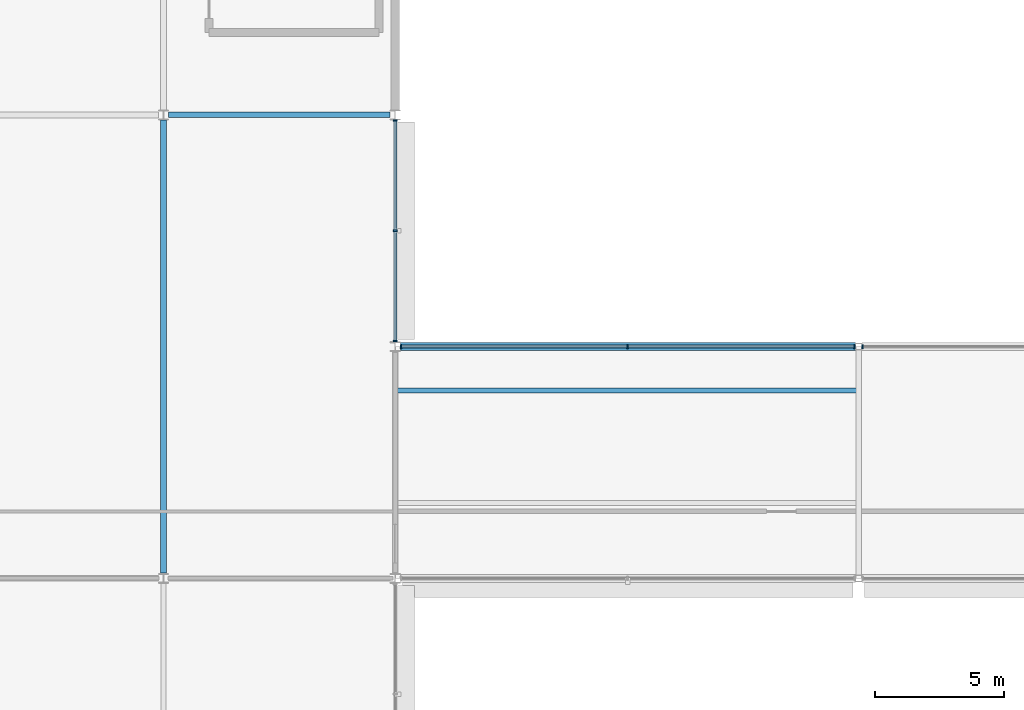
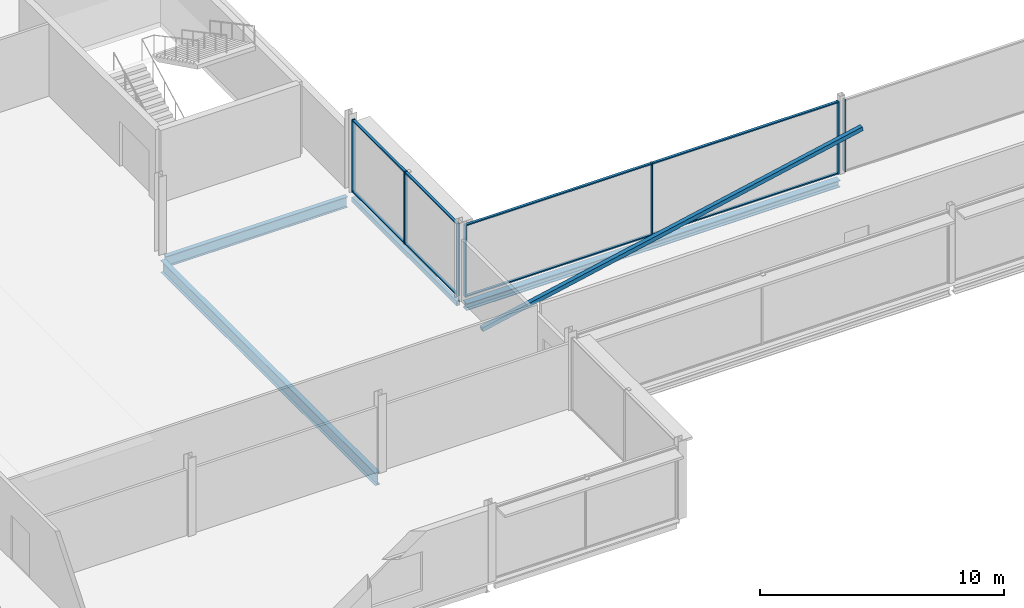
# One storey, part 19 of 98: 16 members, 4 beams, 3 elements without a shape of their own.
"""IFC4 building model written with IfcOpenShell, lengths in metres."""

from ifc_helpers import new_model, si_unit, direction, frame, origin, origin_2d, place, context, subcontext, project, spatial, rectangle, hollow_rectangle, i_section, extrude, material, layer, layer_set, material_profile, profile_set, type_object, element, aggregate, save


model = new_model("IFC4")

# Units and contexts
model_context = context("Model", 3, precision=1e-05, world=origin(), true_north=direction((0.0, 1.0)))
body_context = subcontext(model_context, "Body", "Model", "MODEL_VIEW")
ifc_project = project(units=[si_unit("LENGTHUNIT", "METRE"), si_unit("AREAUNIT", "SQUARE_METRE"), si_unit("VOLUMEUNIT", "CUBIC_METRE"), si_unit("PLANEANGLEUNIT", "RADIAN"), si_unit("MASSUNIT", "GRAM", prefix="KILO")], contexts=[model_context])

# Site, building, storey
site_placement = place(None, origin())
site = spatial("IfcSite", under=ifc_project, at=site_placement, CompositionType="ELEMENT")
building_placement = place(site_placement, origin())
building = spatial("IfcBuilding", under=site, at=building_placement, Name="Kisiwana Market Hall", CompositionType="ELEMENT")
storey_placement = place(building_placement, frame((0.0, 0.0, 29.39990234375)))
storey = spatial("IfcBuildingStorey", under=building, at=storey_placement, Name="L06", CompositionType="ELEMENT", Elevation=29.39990234375)

# Beams
ifc_material_1 = material(Name="Steel S355", Category="steel")
ifc_material_profile_1 = material_profile(ifc_material_1, i_section(OverallWidth=0.210693359375, OverallDepth=0.53955078125, WebThickness=0.01171875, FlangeThickness=0.018798828125, FilletRadius=0.0126953125, at=origin_2d()), Name="UB 533x210x109")
ifc_profile_set_1 = profile_set([ifc_material_profile_1], Name="Steel S355")
beam_type_1 = type_object("IfcBeamType", Name="BM-GIRD-UB109", PredefinedType="BEAM", material=ifc_profile_set_1)
beam_1_placement = place(storey_placement, frame((36.19921875, 36.0, -0.5146484375), z_axis=(1.0, 0.0, 0.0), x_axis=(0.0, 1.0, 0.0)))
element("IfcBeam", 1, at=beam_1_placement, inside=storey, type_object=beam_type_1, Name="Floor beam B-1806", PredefinedType="BEAM", context=body_context, shape_type="SweptSolid", body=[
    extrude(i_section(OverallWidth=0.210693359375, OverallDepth=0.53955078125, WebThickness=0.01171875, FlangeThickness=0.018798828125, FilletRadius=0.0126953125, at=origin_2d()), origin(), (0.0, 0.0, 1.0), 8.6015625),
])
ifc_material_2 = material(Name="Steel S355", Category="steel")
ifc_material_profile_2 = material_profile(ifc_material_2, i_section(OverallWidth=0.22900390625, OverallDepth=0.6123046875, WebThickness=0.011962890625, FlangeThickness=0.01953125, at=origin_2d()), Name="UB 610x229x125")
ifc_profile_set_2 = profile_set([ifc_material_profile_2], Name="Steel S355")
beam_type_2 = type_object("IfcBeamType", Name="BM-GIRD-UB610H", PredefinedType="BEAM", material=ifc_profile_set_2)
beam_2_placement = place(storey_placement, frame((36.0, 18.19921875, -0.551025390625), z_axis=(0.0, 1.0, 0.0), x_axis=(-1.0, 0.0, 0.0)))
element("IfcBeam", 2, at=beam_2_placement, inside=storey, type_object=beam_type_2, Name="Primary girder B-1712", PredefinedType="BEAM", context=body_context, shape_type="SweptSolid", body=[
    extrude(i_section(OverallWidth=0.22900390625, OverallDepth=0.6123046875, WebThickness=0.011962890625, FlangeThickness=0.01953125, at=origin_2d()), origin(), (0.0, 0.0, 1.0), 17.6015625),
])
ifc_material_3 = material(Name="Steel S355", Category="steel")
ifc_material_profile_3 = material_profile(ifc_material_3, i_section(OverallWidth=0.314453125, OverallDepth=0.33984375, WebThickness=0.01904296875, FlangeThickness=0.031494140625, at=origin_2d()), Name="UC 305x305x198")
ifc_profile_set_3 = profile_set([ifc_material_profile_3], Name="Steel S355")
beam_type_3 = type_object("IfcBeamType", Name="BM-SKYBR-CHORD", PredefinedType="BEAM", material=ifc_profile_set_3)
beam_3_placement = place(storey_placement, frame((45.19921875, 27.0, -0.434814453125), z_axis=(1.0, 0.0, 0.0), x_axis=(0.0, 1.0, 0.0)))
element("IfcBeam", 3, at=beam_3_placement, inside=storey, type_object=beam_type_3, Name="Floor beam B-1797", PredefinedType="BEAM", context=body_context, shape_type="SweptSolid", body=[
    extrude(i_section(OverallWidth=0.314453125, OverallDepth=0.33984375, WebThickness=0.01904296875, FlangeThickness=0.031494140625, at=origin_2d()), origin(), (0.0, 0.0, 1.0), 17.6796875),
])
ifc_material_4 = material(Name="Steel S355", Category="steel")
ifc_material_profile_4 = material_profile(ifc_material_4, hollow_rectangle(XDim=0.14990234375, YDim=0.25, WallThickness=0.010009765625, at=origin_2d()), Name="RHS 250x150x10.0")
ifc_profile_set_4 = profile_set([ifc_material_profile_4], Name="Steel S355")
beam_type_4 = type_object("IfcBeamType", Name="BM-SPAN-RHS250", PredefinedType="SPANDREL", material=ifc_profile_set_4)
beam_4_placement = place(storey_placement, frame((45.0, 27.19921875, -0.369873046875), z_axis=(0.0, 1.0, 0.0), x_axis=(-1.0, 0.0, 0.0)))
element("IfcBeam", 4, at=beam_4_placement, inside=storey, type_object=beam_type_4, Name="Floor beam B-1858", PredefinedType="SPANDREL", context=body_context, shape_type="SweptSolid", body=[
    extrude(hollow_rectangle(XDim=0.14990234375, YDim=0.25, WallThickness=0.010009765625, at=origin_2d()), origin(), (0.0, 0.0, 1.0), 8.6015625),
])

# Curtain wall, members
ifc_material_5 = material(Name="Double-glazed solar-control low-E IGU", Category="glass")
ifc_layer = layer(ifc_material_5, 0.159912109375)
ifc_layer_set = layer_set([ifc_layer], Name="CW-ZNA-EW-8200")
curtain_wall_type = type_object("IfcCurtainWallType", Name="CW-ZNA-EW-8200", PredefinedType="USERDEFINED", material=ifc_layer_set)
curtain_wall_1_placement = place(storey_placement, origin())
curtain_wall_1 = element("IfcCurtainWall", 5, at=curtain_wall_1_placement, inside=storey, type_object=curtain_wall_type, Name="Unitised curtain wall CW-178 (L06)", ObjectType="UNITISED CURTAIN WALL", PredefinedType="USERDEFINED")
ifc_material_6 = material(Name="Aluminium alloy 6063-T6", Category="aluminium")
ifc_material_profile_5 = material_profile(ifc_material_6, rectangle(XDim=0.06005859375, YDim=0.159912109375, at=origin_2d()), Name="ALU MULLION 60x160")
ifc_profile_set_5 = profile_set([ifc_material_profile_5], Name="Aluminium alloy 6063-T6")
member_type_1 = type_object("IfcMemberType", Name="CW-MULL-60x160", PredefinedType="MULLION", material=ifc_profile_set_5)
member_1_placement = place(storey_placement, frame((45.21533203125, 27.0, 0.0), z_axis=(0.0, 0.0, 1.0), x_axis=(1.0, 0.0, 0.0)))
member_1 = element("IfcMember", 6, at=member_1_placement, type_object=member_type_1, Name="CW-178 mullion 1", PredefinedType="MULLION", context=body_context, shape_type="SweptSolid", body=[
    extrude(rectangle(XDim=0.06005859375, YDim=0.159912109375, at=origin_2d()), origin(), (0.0, 0.0, 1.0), 3.6201171875),
])
member_2_placement = place(storey_placement, frame((54.030029296875, 27.0, 0.0), z_axis=(0.0, 0.0, 1.0), x_axis=(1.0, 0.0, 0.0)))
member_2 = element("IfcMember", 7, at=member_2_placement, type_object=member_type_1, Name="CW-178 mullion 2", PredefinedType="MULLION", context=body_context, shape_type="SweptSolid", body=[
    extrude(rectangle(XDim=0.06005859375, YDim=0.159912109375, at=origin_2d()), origin(), (0.0, 0.0, 1.0), 3.6201171875),
])
member_3_placement = place(storey_placement, frame((62.844970703125, 27.0, 0.0), z_axis=(0.0, 0.0, 1.0), x_axis=(1.0, 0.0, 0.0)))
member_3 = element("IfcMember", 8, at=member_3_placement, type_object=member_type_1, Name="CW-178 mullion 3", PredefinedType="MULLION", context=body_context, shape_type="SweptSolid", body=[
    extrude(rectangle(XDim=0.06005859375, YDim=0.159912109375, at=origin_2d()), origin(), (0.0, 0.0, 1.0), 3.6201171875),
])

# Curtain wall, member
curtain_wall_2_placement = place(storey_placement, origin())
curtain_wall_2 = element("IfcCurtainWall", 9, at=curtain_wall_2_placement, inside=storey, type_object=curtain_wall_type, Name="Unitised curtain wall CW-179 (L06)", ObjectType="UNITISED CURTAIN WALL", PredefinedType="USERDEFINED")
member_4_placement = place(storey_placement, frame((63.155029296875, 27.0, 0.0), z_axis=(0.0, 0.0, 1.0), x_axis=(1.0, 0.0, 0.0)))
member_4 = element("IfcMember", 10, at=member_4_placement, type_object=member_type_1, Name="CW-179 mullion 1", PredefinedType="MULLION", context=body_context, shape_type="SweptSolid", body=[
    extrude(rectangle(XDim=0.06005859375, YDim=0.159912109375, at=origin_2d()), origin(), (0.0, 0.0, 1.0), 3.6201171875),
])
aggregate(curtain_wall_2, [member_4])

# Curtain wall, members
curtain_wall_3_placement = place(storey_placement, origin())
curtain_wall_3 = element("IfcCurtainWall", 11, at=curtain_wall_3_placement, inside=storey, type_object=curtain_wall_type, Name="Unitised curtain wall CW-201 (L06)", ObjectType="UNITISED CURTAIN WALL", PredefinedType="USERDEFINED")
member_5_placement = place(storey_placement, frame((45.0, 27.2109375, 0.0), z_axis=(0.0, 0.0, 1.0), x_axis=(0.0, 1.0, 0.0)))
member_5 = element("IfcMember", 12, at=member_5_placement, type_object=member_type_1, Name="CW-201 mullion 1", PredefinedType="MULLION", context=body_context, shape_type="SweptSolid", body=[
    extrude(rectangle(XDim=0.06005859375, YDim=0.159912109375, at=origin_2d()), origin(), (0.0, 0.0, 1.0), 3.6201171875),
])
member_6_placement = place(storey_placement, frame((45.0, 31.5, 0.0), z_axis=(0.0, 0.0, 1.0), x_axis=(0.0, 1.0, 0.0)))
member_6 = element("IfcMember", 13, at=member_6_placement, type_object=member_type_1, Name="CW-201 mullion 2", PredefinedType="MULLION", context=body_context, shape_type="SweptSolid", body=[
    extrude(rectangle(XDim=0.06005859375, YDim=0.159912109375, at=origin_2d()), origin(), (0.0, 0.0, 1.0), 3.6201171875),
])
member_7_placement = place(storey_placement, frame((45.0, 35.7890625, 0.0), z_axis=(0.0, 0.0, 1.0), x_axis=(0.0, 1.0, 0.0)))
member_7 = element("IfcMember", 14, at=member_7_placement, type_object=member_type_1, Name="CW-201 mullion 3", PredefinedType="MULLION", context=body_context, shape_type="SweptSolid", body=[
    extrude(rectangle(XDim=0.06005859375, YDim=0.159912109375, at=origin_2d()), origin(), (0.0, 0.0, 1.0), 3.6201171875),
])

# Member
ifc_material_7 = material(Name="Aluminium alloy 6063-T6", Category="aluminium")
ifc_material_profile_6 = material_profile(ifc_material_7, rectangle(XDim=0.1201171875, YDim=0.06005859375, at=origin_2d()), Name="ALU TRANSOM 60x120")
ifc_profile_set_6 = profile_set([ifc_material_profile_6], Name="Aluminium alloy 6063-T6")
member_type_2 = type_object("IfcMemberType", Name="CW-TRAN-60x120", PredefinedType="USERDEFINED", material=ifc_profile_set_6)
member_8_placement = place(storey_placement, frame((45.245361328125, 27.0, 0.030029296875), z_axis=(1.0, 0.0, 0.0), x_axis=(0.0, 1.0, 0.0)))
member_8 = element("IfcMember", 15, at=member_8_placement, type_object=member_type_2, Name="CW-178 transom 1.1", ObjectType="TRANSOM", PredefinedType="USERDEFINED", context=body_context, shape_type="SweptSolid", body=[
    extrude(rectangle(XDim=0.1201171875, YDim=0.06005859375, at=origin_2d()), origin(), (0.0, 0.0, 1.0), 8.7548828125),
])

member_9_placement = place(storey_placement, frame((45.245361328125, 27.0, 3.590087890625), z_axis=(1.0, 0.0, 0.0), x_axis=(0.0, 1.0, 0.0)))
member_9 = element("IfcMember", 16, at=member_9_placement, type_object=member_type_2, Name="CW-178 transom 1.2", ObjectType="TRANSOM", PredefinedType="USERDEFINED", context=body_context, shape_type="SweptSolid", body=[
    extrude(rectangle(XDim=0.1201171875, YDim=0.06005859375, at=origin_2d()), origin(), (0.0, 0.0, 1.0), 8.7548828125),
])

member_10_placement = place(storey_placement, frame((54.06005859375, 27.0, 0.030029296875), z_axis=(1.0, 0.0, 0.0), x_axis=(0.0, 1.0, 0.0)))
member_10 = element("IfcMember", 17, at=member_10_placement, type_object=member_type_2, Name="CW-178 transom 2.1", ObjectType="TRANSOM", PredefinedType="USERDEFINED", context=body_context, shape_type="SweptSolid", body=[
    extrude(rectangle(XDim=0.1201171875, YDim=0.06005859375, at=origin_2d()), origin(), (0.0, 0.0, 1.0), 8.7548828125),
])

member_11_placement = place(storey_placement, frame((54.06005859375, 27.0, 3.590087890625), z_axis=(1.0, 0.0, 0.0), x_axis=(0.0, 1.0, 0.0)))
member_11 = element("IfcMember", 18, at=member_11_placement, type_object=member_type_2, Name="CW-178 transom 2.2", ObjectType="TRANSOM", PredefinedType="USERDEFINED", context=body_context, shape_type="SweptSolid", body=[
    extrude(rectangle(XDim=0.1201171875, YDim=0.06005859375, at=origin_2d()), origin(), (0.0, 0.0, 1.0), 8.7548828125),
])

aggregate(curtain_wall_1, [member_1, member_2, member_3, member_8, member_9, member_10, member_11])

member_12_placement = place(storey_placement, frame((45.0, 27.240966796875, 0.030029296875), z_axis=(0.0, 1.0, 0.0), x_axis=(-1.0, 0.0, 0.0)))
member_12 = element("IfcMember", 19, at=member_12_placement, type_object=member_type_2, Name="CW-201 transom 1.1", ObjectType="TRANSOM", PredefinedType="USERDEFINED", context=body_context, shape_type="SweptSolid", body=[
    extrude(rectangle(XDim=0.1201171875, YDim=0.06005859375, at=origin_2d()), origin(), (0.0, 0.0, 1.0), 4.22900390625),
])

member_13_placement = place(storey_placement, frame((45.0, 27.240966796875, 3.590087890625), z_axis=(0.0, 1.0, 0.0), x_axis=(-1.0, 0.0, 0.0)))
member_13 = element("IfcMember", 20, at=member_13_placement, type_object=member_type_2, Name="CW-201 transom 1.2", ObjectType="TRANSOM", PredefinedType="USERDEFINED", context=body_context, shape_type="SweptSolid", body=[
    extrude(rectangle(XDim=0.1201171875, YDim=0.06005859375, at=origin_2d()), origin(), (0.0, 0.0, 1.0), 4.22900390625),
])

member_14_placement = place(storey_placement, frame((45.0, 31.530029296875, 0.030029296875), z_axis=(0.0, 1.0, 0.0), x_axis=(-1.0, 0.0, 0.0)))
member_14 = element("IfcMember", 21, at=member_14_placement, type_object=member_type_2, Name="CW-201 transom 2.1", ObjectType="TRANSOM", PredefinedType="USERDEFINED", context=body_context, shape_type="SweptSolid", body=[
    extrude(rectangle(XDim=0.1201171875, YDim=0.06005859375, at=origin_2d()), origin(), (0.0, 0.0, 1.0), 4.22900390625),
])

member_15_placement = place(storey_placement, frame((45.0, 31.530029296875, 3.590087890625), z_axis=(0.0, 1.0, 0.0), x_axis=(-1.0, 0.0, 0.0)))
member_15 = element("IfcMember", 22, at=member_15_placement, type_object=member_type_2, Name="CW-201 transom 2.2", ObjectType="TRANSOM", PredefinedType="USERDEFINED", context=body_context, shape_type="SweptSolid", body=[
    extrude(rectangle(XDim=0.1201171875, YDim=0.06005859375, at=origin_2d()), origin(), (0.0, 0.0, 1.0), 4.22900390625),
])

aggregate(curtain_wall_3, [member_5, member_6, member_7, member_12, member_13, member_14, member_15])

ifc_material_8 = material(Name="Steel S355", Category="steel")
ifc_material_profile_7 = material_profile(ifc_material_8, hollow_rectangle(XDim=0.199951171875, YDim=0.199951171875, WallThickness=0.010009765625, at=origin_2d()), Name="SHS 200x200x10.0")
ifc_profile_set_7 = profile_set([ifc_material_profile_7], Name="Steel S355")
member_type_3 = type_object("IfcMemberType", Name="MB-SKY-DIAG200", PredefinedType="BRACE", material=ifc_profile_set_7)
member_16_placement = place(storey_placement, frame((45.0, 25.300048828125, -0.5), z_axis=(0.978762510891, 0.0, 0.204997432362), x_axis=(0.0, 1.0, 0.0)))
element("IfcMember", 23, at=member_16_placement, inside=storey, type_object=member_type_3, Name="Skybridge truss diagonal L06 grids 6 to 8 M-0495", PredefinedType="BRACE", context=body_context, shape_type="SweptSolid", body=[
    extrude(hollow_rectangle(XDim=0.199951171875, YDim=0.199951171875, WallThickness=0.010009765625, at=origin_2d()), origin(), (0.0, 0.0, 1.0), 18.390625),
])

save(model, "model.ifc")
